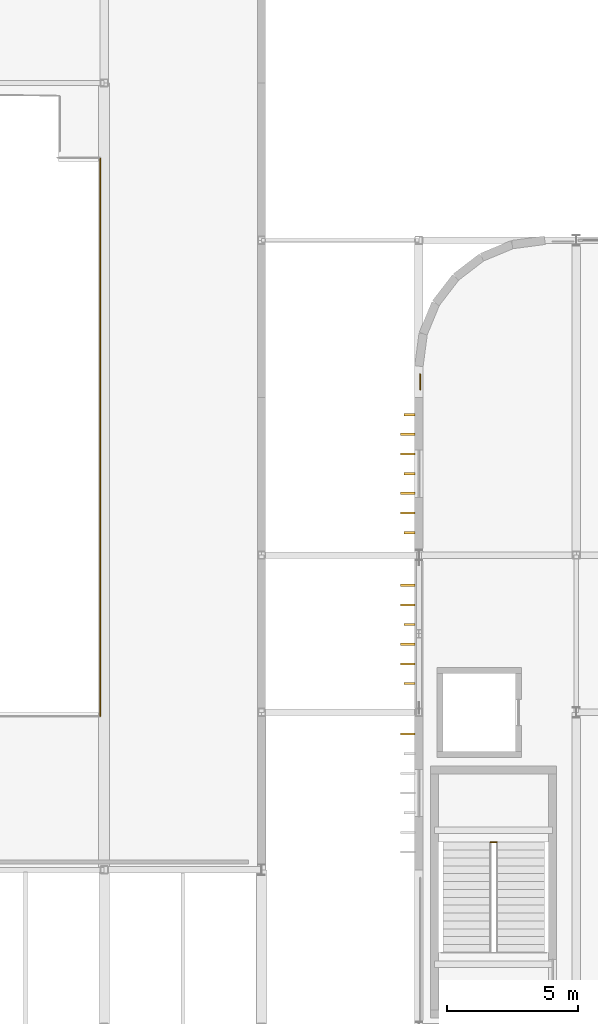
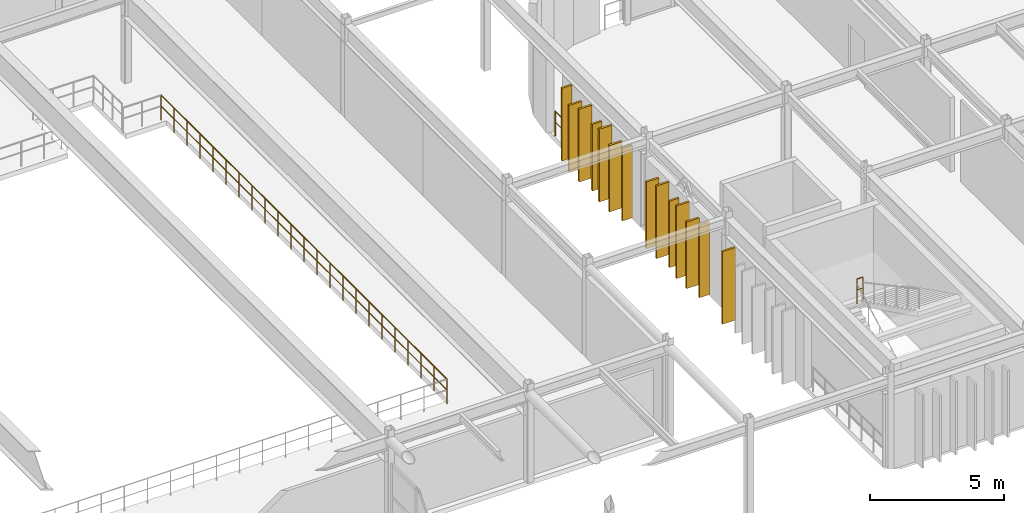
# One storey, part 88 of 96: 14 coverings, 3 railings.
"""IFC4 building model written with IfcOpenShell, lengths in metres."""

from ifc_helpers import new_model, si_unit, direction, frame, origin, origin_2d, place, context, subcontext, project, spatial, rectangle, circle, extrude, material, layer, layer_set, type_object, element, save


model = new_model("IFC4")

# Units and contexts
model_context = context("Model", 3, precision=1e-05, world=origin(), true_north=direction((0.0, 1.0)))
body_context = subcontext(model_context, "Body", "Model", "MODEL_VIEW")
ifc_project = project(units=[si_unit("LENGTHUNIT", "METRE"), si_unit("AREAUNIT", "SQUARE_METRE"), si_unit("VOLUMEUNIT", "CUBIC_METRE"), si_unit("PLANEANGLEUNIT", "RADIAN"), si_unit("MASSUNIT", "GRAM", prefix="KILO")], contexts=[model_context])

# Site, building, storey
site_placement = place(None, origin())
site = spatial("IfcSite", under=ifc_project, at=site_placement, CompositionType="ELEMENT")
building_placement = place(site_placement, origin())
building = spatial("IfcBuilding", under=site, at=building_placement, Name="Varnakota Square Police Headquarters", CompositionType="ELEMENT")
storey_placement = place(building_placement, frame((0.0, 0.0, 4.800048828125)))
storey = spatial("IfcBuildingStorey", under=building, at=storey_placement, Name="L01", CompositionType="ELEMENT", Elevation=4.800048828125)

# Coverings
ifc_material_1 = material(Name="White Anodised Aluminium Vertical Facade Blade 420", Category="aluminium")
ifc_layer_1 = layer(ifc_material_1, 0.0849609375, Name="White Anodised Aluminium Vertical Facade Blade 420")
ifc_layer_set_1 = layer_set([ifc_layer_1], Name="White Anodised Aluminium Vertical Facade Blade 420")
covering_type_1 = type_object("IfcCoveringType", Name="COV-FIN-420", PredefinedType="CLADDING", material=ifc_layer_set_1)
covering_1_placement = place(storey_placement, frame((59.635009765625, 82.10009765625, 0.0400390625), z_axis=(0.0, 0.0, 1.0), x_axis=(0.0, 1.0, 0.0)))
element("IfcCovering", 1, at=covering_1_placement, inside=storey, type_object=covering_type_1, Name="Vertical aluminium facade fin FIN-1189", PredefinedType="CLADDING", context=body_context, shape_type="SweptSolid", body=[
    extrude(rectangle(XDim=0.0849609375, YDim=0.419921875, at=origin_2d()), origin(), (0.0, 0.0, 1.0), 3.31005859375),
])
covering_2_placement = place(storey_placement, frame((59.635009765625, 84.35009765625, 0.0400390625), z_axis=(0.0, 0.0, 1.0), x_axis=(0.0, 1.0, 0.0)))
element("IfcCovering", 2, at=covering_2_placement, inside=storey, type_object=covering_type_1, Name="Vertical aluminium facade fin FIN-1192", PredefinedType="CLADDING", context=body_context, shape_type="SweptSolid", body=[
    extrude(rectangle(XDim=0.0849609375, YDim=0.419921875, at=origin_2d()), origin(), (0.0, 0.0, 1.0), 3.030029296875),
])
covering_3_placement = place(storey_placement, frame((59.635009765625, 87.85205078125, 0.0400390625), z_axis=(0.0, 0.0, 1.0), x_axis=(0.0, 1.0, 0.0)))
element("IfcCovering", 3, at=covering_3_placement, inside=storey, type_object=covering_type_1, Name="Vertical aluminium facade fin FIN-1195", PredefinedType="CLADDING", context=body_context, shape_type="SweptSolid", body=[
    extrude(rectangle(XDim=0.0849609375, YDim=0.419921875, at=origin_2d()), origin(), (0.0, 0.0, 1.0), 3.31005859375),
])
covering_4_placement = place(storey_placement, frame((59.635009765625, 90.10205078125, 0.0400390625), z_axis=(0.0, 0.0, 1.0), x_axis=(0.0, 1.0, 0.0)))
element("IfcCovering", 4, at=covering_4_placement, inside=storey, type_object=covering_type_1, Name="Vertical aluminium facade fin FIN-1198", PredefinedType="CLADDING", context=body_context, shape_type="SweptSolid", body=[
    extrude(rectangle(XDim=0.0849609375, YDim=0.419921875, at=origin_2d()), origin(), (0.0, 0.0, 1.0), 3.030029296875),
])
covering_5_placement = place(storey_placement, frame((59.635009765625, 92.35205078125, 0.0400390625), z_axis=(0.0, 0.0, 1.0), x_axis=(0.0, 1.0, 0.0)))
element("IfcCovering", 5, at=covering_5_placement, inside=storey, type_object=covering_type_1, Name="Vertical aluminium facade fin FIN-1201", PredefinedType="CLADDING", context=body_context, shape_type="SweptSolid", body=[
    extrude(rectangle(XDim=0.0849609375, YDim=0.419921875, at=origin_2d()), origin(), (0.0, 0.0, 1.0), 3.31005859375),
])
ifc_material_2 = material(Name="White Anodised Aluminium Vertical Facade Blade 550", Category="aluminium")
ifc_layer_2 = layer(ifc_material_2, 0.0849609375, Name="White Anodised Aluminium Vertical Facade Blade 550")
ifc_layer_set_2 = layer_set([ifc_layer_2], Name="White Anodised Aluminium Vertical Facade Blade 550")
covering_type_2 = type_object("IfcCoveringType", Name="COV-FIN-550", PredefinedType="CLADDING", material=ifc_layer_set_2)
covering_6_placement = place(storey_placement, frame((59.570068359375, 80.173095703125, 0.0400390625), z_axis=(0.0, 0.0, 1.0), x_axis=(0.0, 1.0, 0.0)))
element("IfcCovering", 6, at=covering_6_placement, inside=storey, type_object=covering_type_2, Name="Vertical aluminium facade fin FIN-1188", PredefinedType="CLADDING", context=body_context, shape_type="SweptSolid", body=[
    extrude(rectangle(XDim=0.0849609375, YDim=0.550048828125, at=origin_2d()), origin(), (0.0, 0.0, 1.0), 3.31005859375),
])
covering_7_placement = place(storey_placement, frame((59.570068359375, 82.85009765625, 0.0400390625), z_axis=(0.0, 0.0, 1.0), x_axis=(0.0, 1.0, 0.0)))
element("IfcCovering", 7, at=covering_7_placement, inside=storey, type_object=covering_type_2, Name="Vertical aluminium facade fin FIN-1190", PredefinedType="CLADDING", context=body_context, shape_type="SweptSolid", body=[
    extrude(rectangle(XDim=0.0849609375, YDim=0.550048828125, at=origin_2d()), origin(), (0.0, 0.0, 1.0), 3.030029296875),
])
for number, where, z_axis, x_axis, name in (
    (8, (59.570068359375, 83.60009765625, 0.0400390625), (0.0, 0.0, 1.0), (0.0, 1.0, 0.0), "Vertical aluminium facade fin FIN-1191"),
    (9, (59.570068359375, 85.10009765625, 0.0400390625), (0.0, 0.0, 1.0), (0.0, 1.0, 0.0), "Vertical aluminium facade fin FIN-1193"),
):
    element("IfcCovering", number, at=place(storey_placement, frame(where, z_axis=z_axis, x_axis=x_axis)), inside=storey, type_object=covering_type_2, Name=name, PredefinedType="CLADDING", context=body_context, shape_type="SweptSolid", body=[
        extrude(rectangle(XDim=0.0849609375, YDim=0.550048828125, at=origin_2d()), origin(), (0.0, 0.0, 1.0), 3.31005859375),
    ])
for number, where, z_axis, x_axis, name in (
    (10, (59.570068359375, 85.85009765625, 0.0400390625), (0.0, 0.0, 1.0), (0.0, 1.0, 0.0), "Vertical aluminium facade fin FIN-1194"),
    (11, (59.570068359375, 88.60205078125, 0.0400390625), (0.0, 0.0, 1.0), (0.0, 1.0, 0.0), "Vertical aluminium facade fin FIN-1196"),
):
    element("IfcCovering", number, at=place(storey_placement, frame(where, z_axis=z_axis, x_axis=x_axis)), inside=storey, type_object=covering_type_2, Name=name, PredefinedType="CLADDING", context=body_context, shape_type="SweptSolid", body=[
        extrude(rectangle(XDim=0.0849609375, YDim=0.550048828125, at=origin_2d()), origin(), (0.0, 0.0, 1.0), 3.030029296875),
    ])
for number, where, z_axis, x_axis, name in (
    (12, (59.570068359375, 89.35205078125, 0.0400390625), (0.0, 0.0, 1.0), (0.0, 1.0, 0.0), "Vertical aluminium facade fin FIN-1197"),
    (13, (59.570068359375, 90.85205078125, 0.0400390625), (0.0, 0.0, 1.0), (0.0, 1.0, 0.0), "Vertical aluminium facade fin FIN-1199"),
):
    element("IfcCovering", number, at=place(storey_placement, frame(where, z_axis=z_axis, x_axis=x_axis)), inside=storey, type_object=covering_type_2, Name=name, PredefinedType="CLADDING", context=body_context, shape_type="SweptSolid", body=[
        extrude(rectangle(XDim=0.0849609375, YDim=0.550048828125, at=origin_2d()), origin(), (0.0, 0.0, 1.0), 3.31005859375),
    ])
covering_8_placement = place(storey_placement, frame((59.570068359375, 91.60205078125, 0.0400390625), z_axis=(0.0, 0.0, 1.0), x_axis=(0.0, 1.0, 0.0)))
element("IfcCovering", 14, at=covering_8_placement, inside=storey, type_object=covering_type_2, Name="Vertical aluminium facade fin FIN-1200", PredefinedType="CLADDING", context=body_context, shape_type="SweptSolid", body=[
    extrude(rectangle(XDim=0.0849609375, YDim=0.550048828125, at=origin_2d()), origin(), (0.0, 0.0, 1.0), 3.030029296875),
])

# Railings
ifc_material_3 = material(Name="Galvanised Powder-Coated Steel Guardrail", Category="steel")
railing_type_1 = type_object("IfcRailingType", Name="RL-BAL-1150", PredefinedType="BALUSTRADE", material=ifc_material_3)
railing_1_placement = place(storey_placement, frame((60.050048828125, 93.29541015625, 0.0)))
element("IfcRailing", 15, at=railing_1_placement, inside=storey, type_object=railing_type_1, Name="Perimeter edge safety guard GD-AUTO-L01-031", PredefinedType="BALUSTRADE", context=body_context, shape_type="SweptSolid", body=[
    extrude(circle(Radius=0.02392578125, at=origin_2d()), frame((0.0, 0.0, 1.1259765625), z_axis=(0.0, 1.0, 0.0), x_axis=(-1.0, 0.0, 0.0)), (0.0, 0.0, 1.0), 0.60888671875),
    extrude(circle(Radius=0.01806640625, at=origin_2d()), frame((0.0, 0.0, 0.63232421875), z_axis=(0.0, 1.0, 0.0), x_axis=(-1.0, 0.0, 0.0)), (0.0, 0.0, 1.0), 0.60888671875),
    extrude(circle(Radius=0.02099609375, at=origin_2d()), origin(), (0.0, 0.0, 1.0), 1.101806640625),
    extrude(circle(Radius=0.02099609375, at=origin_2d()), frame((0.0, 0.60888671875, 0.0)), (0.0, 0.0, 1.0), 1.101806640625),
])
ifc_material_4 = material(Name="Laminated Glass and Stainless Steel Balustrade", Category="steel")
railing_type_2 = type_object("IfcRailingType", Name="RL-INT-1150", PredefinedType="BALUSTRADE", material=ifc_material_4)
railing_2_placement = place(storey_placement, frame((62.719970703125, 76.05078125, 2.25)))
element("IfcRailing", 16, at=railing_2_placement, inside=storey, type_object=railing_type_2, Name="Half-landing well guard C6 L01", PredefinedType="BALUSTRADE", context=body_context, shape_type="SweptSolid", body=[
    extrude(circle(Radius=0.02392578125, at=origin_2d()), frame((0.0, 0.0, 1.1259765625), z_axis=(1.0, 0.0, 0.0), x_axis=(0.0, 1.0, 0.0)), (0.0, 0.0, 1.0), 0.260009765625),
    extrude(circle(Radius=0.01806640625, at=origin_2d()), frame((0.0, 0.0, 0.63232421875), z_axis=(1.0, 0.0, 0.0), x_axis=(0.0, 1.0, 0.0)), (0.0, 0.0, 1.0), 0.260009765625),
    extrude(circle(Radius=0.02099609375, at=origin_2d()), origin(), (0.0, 0.0, 1.0), 1.101806640625),
    extrude(circle(Radius=0.02099609375, at=origin_2d()), frame((0.260009765625, 0.0, 0.0)), (0.0, 0.0, 1.0), 1.101806640625),
])
railing_3_placement = place(storey_placement, frame((47.85009765625, 80.85009765625, 0.0)))
element("IfcRailing", 17, at=railing_3_placement, inside=storey, type_object=railing_type_2, Name="Auditorium and range gallery balustrade", PredefinedType="BALUSTRADE", context=body_context, shape_type="SweptSolid", body=[
    extrude(circle(Radius=0.02392578125, at=origin_2d()), frame((0.0, 0.0, 1.1259765625), z_axis=(0.0, 1.0, 0.0), x_axis=(-1.0, 0.0, 0.0)), (0.0, 0.0, 1.0), 21.2998046875),
    extrude(circle(Radius=0.01806640625, at=origin_2d()), frame((0.0, 0.0, 0.63232421875), z_axis=(0.0, 1.0, 0.0), x_axis=(-1.0, 0.0, 0.0)), (0.0, 0.0, 1.0), 21.2998046875),
    extrude(circle(Radius=0.02099609375, at=origin_2d()), origin(), (0.0, 0.0, 1.0), 1.101806640625),
    extrude(circle(Radius=0.02099609375, at=origin_2d()), frame((0.0, 0.96826171875, 0.0)), (0.0, 0.0, 1.0), 1.101806640625),
    extrude(circle(Radius=0.02099609375, at=origin_2d()), frame((0.0, 1.936279296875, 0.0)), (0.0, 0.0, 1.0), 1.101806640625),
    extrude(circle(Radius=0.02099609375, at=origin_2d()), frame((0.0, 2.904541015625, 0.0)), (0.0, 0.0, 1.0), 1.101806640625),
    extrude(circle(Radius=0.02099609375, at=origin_2d()), frame((0.0, 3.872802734375, 0.0)), (0.0, 0.0, 1.0), 1.101806640625),
    extrude(circle(Radius=0.02099609375, at=origin_2d()), frame((0.0, 4.8408203125, 0.0)), (0.0, 0.0, 1.0), 1.101806640625),
    extrude(circle(Radius=0.02099609375, at=origin_2d()), frame((0.0, 5.80908203125, 0.0)), (0.0, 0.0, 1.0), 1.101806640625),
    extrude(circle(Radius=0.02099609375, at=origin_2d()), frame((0.0, 6.777099609375, 0.0)), (0.0, 0.0, 1.0), 1.101806640625),
    extrude(circle(Radius=0.02099609375, at=origin_2d()), frame((0.0, 7.745361328125, 0.0)), (0.0, 0.0, 1.0), 1.101806640625),
    extrude(circle(Radius=0.02099609375, at=origin_2d()), frame((0.0, 8.713623046875, 0.0)), (0.0, 0.0, 1.0), 1.101806640625),
    extrude(circle(Radius=0.02099609375, at=origin_2d()), frame((0.0, 9.681640625, 0.0)), (0.0, 0.0, 1.0), 1.101806640625),
    extrude(circle(Radius=0.02099609375, at=origin_2d()), frame((0.0, 10.64990234375, 0.0)), (0.0, 0.0, 1.0), 1.101806640625),
    extrude(circle(Radius=0.02099609375, at=origin_2d()), frame((0.0, 11.6181640625, 0.0)), (0.0, 0.0, 1.0), 1.101806640625),
    extrude(circle(Radius=0.02099609375, at=origin_2d()), frame((0.0, 12.586181640625, 0.0)), (0.0, 0.0, 1.0), 1.101806640625),
    extrude(circle(Radius=0.02099609375, at=origin_2d()), frame((0.0, 13.554443359375, 0.0)), (0.0, 0.0, 1.0), 1.101806640625),
    extrude(circle(Radius=0.02099609375, at=origin_2d()), frame((0.0, 14.522705078125, 0.0)), (0.0, 0.0, 1.0), 1.101806640625),
    extrude(circle(Radius=0.02099609375, at=origin_2d()), frame((0.0, 15.49072265625, 0.0)), (0.0, 0.0, 1.0), 1.101806640625),
    extrude(circle(Radius=0.02099609375, at=origin_2d()), frame((0.0, 16.458984375, 0.0)), (0.0, 0.0, 1.0), 1.101806640625),
    extrude(circle(Radius=0.02099609375, at=origin_2d()), frame((0.0, 17.427001953125, 0.0)), (0.0, 0.0, 1.0), 1.101806640625),
    extrude(circle(Radius=0.02099609375, at=origin_2d()), frame((0.0, 18.395263671875, 0.0)), (0.0, 0.0, 1.0), 1.101806640625),
    extrude(circle(Radius=0.02099609375, at=origin_2d()), frame((0.0, 19.363525390625, 0.0)), (0.0, 0.0, 1.0), 1.101806640625),
    extrude(circle(Radius=0.02099609375, at=origin_2d()), frame((0.0, 20.33154296875, 0.0)), (0.0, 0.0, 1.0), 1.101806640625),
    extrude(circle(Radius=0.02099609375, at=origin_2d()), frame((0.0, 21.2998046875, 0.0)), (0.0, 0.0, 1.0), 1.101806640625),
])

save(model, "model.ifc")
